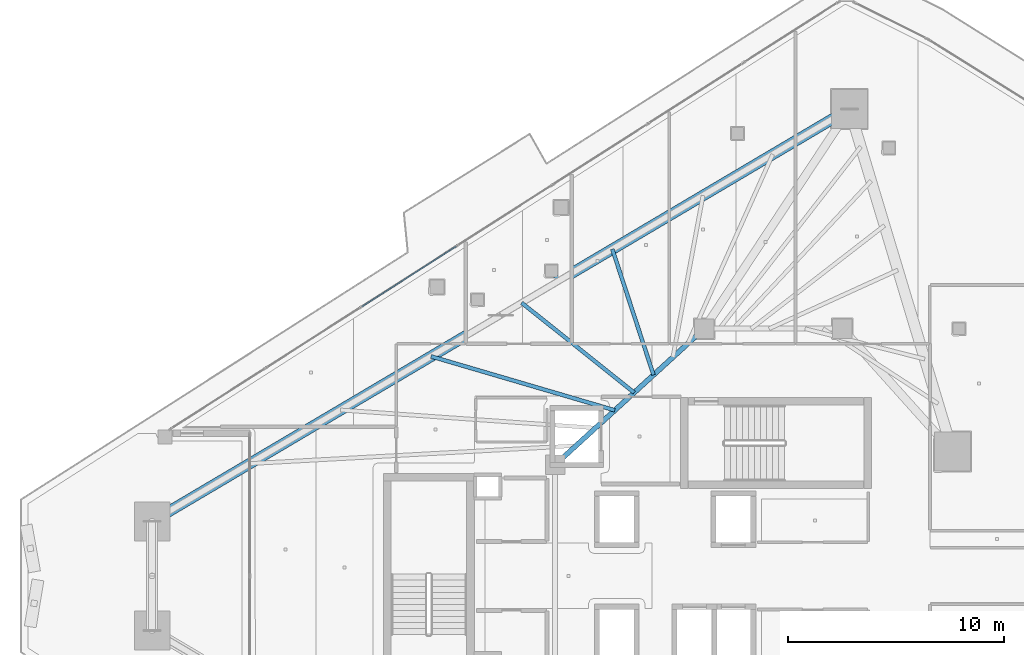
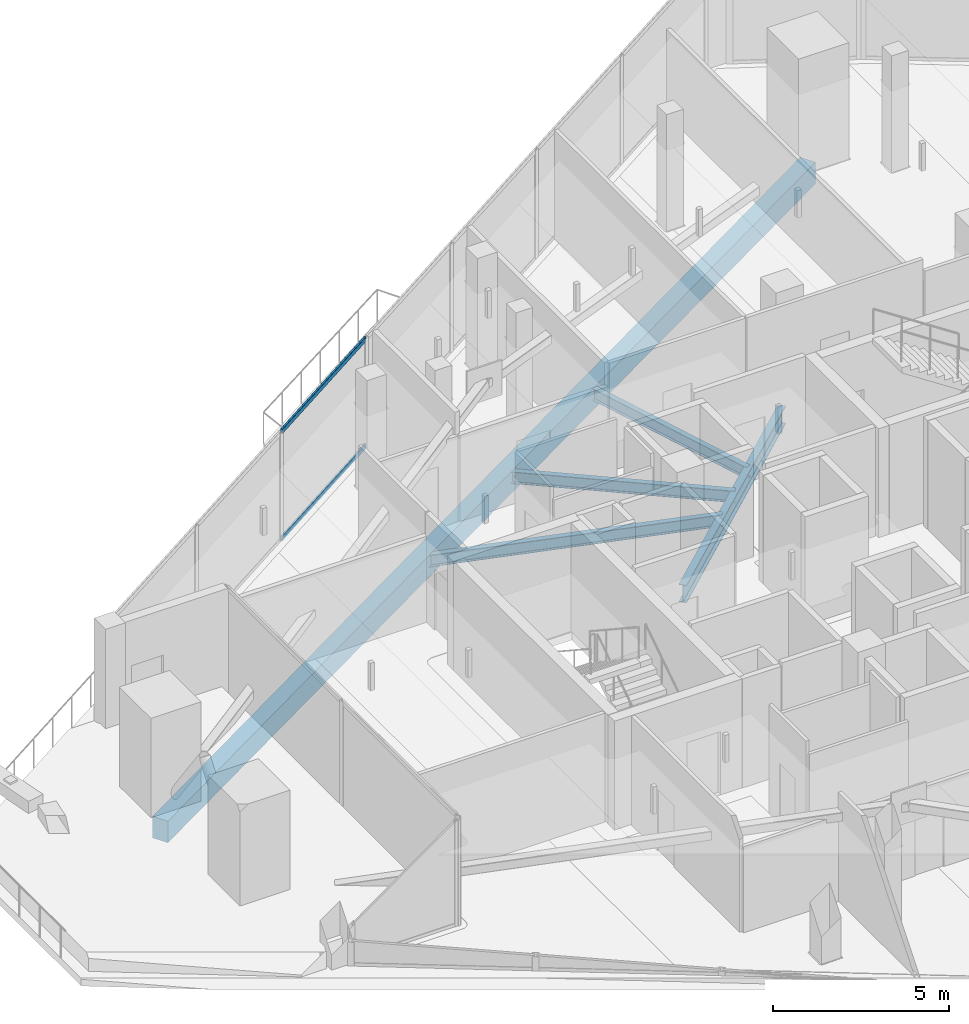
# One storey, part 19 of 40: 5 beams, 2 members, 1 element without a shape of its own.
"""IFC4 building model written with IfcOpenShell, lengths in metres."""

from ifc_helpers import new_model, si_unit, direction, frame, origin, origin_2d, place, context, subcontext, project, spatial, rectangle, hollow_rectangle, i_section, extrude, material, layer, layer_set, material_profile, profile_set, type_object, element, aggregate, save


model = new_model("IFC4")

# Units and contexts
model_context = context("Model", 3, precision=1e-05, world=origin(), true_north=direction((0.0, 1.0)))
body_context = subcontext(model_context, "Body", "Model", "MODEL_VIEW")
ifc_project = project(units=[si_unit("LENGTHUNIT", "METRE"), si_unit("AREAUNIT", "SQUARE_METRE"), si_unit("VOLUMEUNIT", "CUBIC_METRE"), si_unit("PLANEANGLEUNIT", "RADIAN"), si_unit("MASSUNIT", "GRAM", prefix="KILO")], contexts=[model_context])

# Site, building, storey
site_placement = place(None, origin())
site = spatial("IfcSite", under=ifc_project, at=site_placement, CompositionType="ELEMENT")
building_placement = place(site_placement, origin())
building = spatial("IfcBuilding", under=site, at=building_placement, Name="Qorvath Tower", CompositionType="ELEMENT")
storey_placement = place(building_placement, frame((0.0, 0.0, 225.300048828125)))
storey = spatial("IfcBuildingStorey", under=building, at=storey_placement, Name="L52", CompositionType="ELEMENT", Elevation=225.300048828125)

# Beams
ifc_material_1 = material(Name="Steel ASTM A992 Grade 50", Category="steel")
ifc_material_profile_1 = material_profile(ifc_material_1, i_section(OverallWidth=0.22998046875, OverallDepth=0.616943359375, WebThickness=0.01318359375, FlangeThickness=0.022216796875, FilletRadius=0.014892578125, at=origin_2d()), Name="W24x94")
ifc_profile_set_1 = profile_set([ifc_material_profile_1], Name="Steel ASTM A992 Grade 50")
beam_type_1 = type_object("IfcBeamType", Name="BM-FG6", PredefinedType="BEAM", material=ifc_profile_set_1)
beam_1_placement = place(storey_placement, frame((-30.5, 5.14990234375, -0.57861328125), z_axis=(0.73847813985, 0.6742774184, 0.0), x_axis=(-0.6742774184, 0.73847813985, 0.0)))
element("IfcBeam", 1, at=beam_1_placement, inside=storey, type_object=beam_type_1, Name="Core Ring Girder CC5-CC1 L52", PredefinedType="BEAM", context=body_context, shape_type="SweptSolid", body=[
    extrude(i_section(OverallWidth=0.22998046875, OverallDepth=0.616943359375, WebThickness=0.01318359375, FlangeThickness=0.022216796875, FilletRadius=0.014892578125, at=origin_2d()), origin(), (0.0, 0.0, 1.0), 9.343505859375),
])
ifc_material_2 = material(Name="Steel ASTM A992 Grade 50", Category="steel")
ifc_material_profile_2 = material_profile(ifc_material_2, i_section(OverallWidth=0.177978515625, OverallDepth=0.406005859375, WebThickness=0.0078125, FlangeThickness=0.0126953125, FilletRadius=0.010986328125, at=origin_2d()), Name="W16x40")
ifc_profile_set_2 = profile_set([ifc_material_profile_2], Name="Steel ASTM A992 Grade 50")
beam_type_2 = type_object("IfcBeamType", Name="BM-FJ3", PredefinedType="JOIST", material=ifc_profile_set_2)
beam_2_placement = place(storey_placement, frame((-27.739990234375, 7.669921875, -0.47314453125), z_axis=(-0.959544992264, 0.281555337049, 0.0), x_axis=(-0.281555337049, -0.959544992264, 0.0)))
element("IfcBeam", 2, at=beam_2_placement, inside=storey, type_object=beam_type_2, Name="Composite Floor Joist NW3 L52", PredefinedType="JOIST", context=body_context, shape_type="SweptSolid", body=[
    extrude(i_section(OverallWidth=0.177978515625, OverallDepth=0.406005859375, WebThickness=0.0078125, FlangeThickness=0.0126953125, FilletRadius=0.010986328125, at=origin_2d()), origin(), (0.0, 0.0, 1.0), 8.87060546875),
])
beam_3_placement = place(storey_placement, frame((-26.843017578125, 8.489013671875, -0.47314453125), z_axis=(-0.781336553339, 0.624109918537, 0.0), x_axis=(-0.624109918537, -0.781336553339, 0.0)))
element("IfcBeam", 3, at=beam_3_placement, inside=storey, type_object=beam_type_2, Name="Composite Floor Joist NW4 L52", PredefinedType="JOIST", context=body_context, shape_type="SweptSolid", body=[
    extrude(i_section(OverallWidth=0.177978515625, OverallDepth=0.406005859375, WebThickness=0.0078125, FlangeThickness=0.0126953125, FilletRadius=0.010986328125, at=origin_2d()), origin(), (0.0, 0.0, 1.0), 6.667724609375),
])
beam_4_placement = place(storey_placement, frame((-25.946044921875, 9.30810546875, -0.47314453125), z_axis=(-0.311228747452, 0.950335028692, 0.0), x_axis=(-0.950335028692, -0.311228747452, 0.0)))
element("IfcBeam", 4, at=beam_4_placement, inside=storey, type_object=beam_type_2, Name="Composite Floor Joist NW5 L52", PredefinedType="JOIST", context=body_context, shape_type="SweptSolid", body=[
    extrude(i_section(OverallWidth=0.177978515625, OverallDepth=0.406005859375, WebThickness=0.0078125, FlangeThickness=0.0126953125, FilletRadius=0.010986328125, at=origin_2d()), origin(), (0.0, 0.0, 1.0), 6.129638671875),
])
ifc_material_3 = material(Name="Concrete C45/55", Category="concrete")
ifc_material_profile_3 = material_profile(ifc_material_3, rectangle(XDim=0.5, YDim=0.75, at=origin_2d()), Name="RCB 750x500")
ifc_profile_set_3 = profile_set([ifc_material_profile_3], Name="Concrete C45/55")
beam_type_3 = type_object("IfcBeamType", Name="BM-RCB3", PredefinedType="SPANDREL", material=ifc_profile_set_3)
beam_5_placement = place(storey_placement, frame((-16.87158203125, 21.627197265625, -0.64501953125), z_axis=(-0.860776759786, -0.50898268125, 0.0), x_axis=(0.50898268125, -0.860776759786, 0.0)))
element("IfcBeam", 5, at=beam_5_placement, inside=storey, type_object=beam_type_3, Name="Perimeter Loggia Frame Beam MC6-MC1 L52", PredefinedType="SPANDREL", context=body_context, shape_type="SweptSolid", body=[
    extrude(rectangle(XDim=0.5, YDim=0.75, at=origin_2d()), origin(), (0.0, 0.0, 1.0), 37.524658203125),
])

# Curtain wall, members
ifc_material_4 = material(Name="Anodised aluminium and triple low-E glass", Category="aluminium")
ifc_layer = layer(ifc_material_4, 0.179931640625)
ifc_layer_set = layer_set([ifc_layer], Name="CW-SYS-5")
curtain_wall_type = type_object("IfcCurtainWallType", Name="CW-SYS-5", PredefinedType="NOTDEFINED", material=ifc_layer_set)
curtain_wall_placement = place(storey_placement, origin())
curtain_wall = element("IfcCurtainWall", 6, at=curtain_wall_placement, inside=storey, type_object=curtain_wall_type, Name="Curtain Wall CW-5 CW-T-L52-18.1", PredefinedType="NOTDEFINED")
ifc_material_5 = material(Name="Anodised aluminium 6063-T6", Category="aluminium")
ifc_material_profile_4 = material_profile(ifc_material_5, hollow_rectangle(XDim=0.06494140625, YDim=0.159912109375, WallThickness=0.00341796875, InnerFilletRadius=0.00341796875, OuterFilletRadius=0.007080078125, at=origin_2d()), Name="CWT 160x65")
ifc_profile_set_4 = profile_set([ifc_material_profile_4], Name="Anodised aluminium 6063-T6")
member_type = type_object("IfcMemberType", Name="CWT-160", PredefinedType="USERDEFINED", material=ifc_profile_set_4)
member_1_placement = place(storey_placement, frame((-35.0888671875, 15.26171875, 0.032470703125), z_axis=(-0.842629113093, -0.538494361872, 0.0), x_axis=(0.538494361872, -0.842629113093, 0.0)))
member_1 = element("IfcMember", 7, at=member_1_placement, type_object=member_type, Name="CW-5 transom 5.1", ObjectType="TRANSOM", PredefinedType="USERDEFINED", context=body_context, shape_type="SweptSolid", body=[
    extrude(hollow_rectangle(XDim=0.06494140625, YDim=0.159912109375, WallThickness=0.00341796875, InnerFilletRadius=0.00341796875, OuterFilletRadius=0.007080078125, at=origin_2d()), origin(), (0.0, 0.0, 1.0), 5.178466796875),
])
member_2_placement = place(storey_placement, frame((-35.0888671875, 15.26171875, 3.74755859375), z_axis=(-0.842629113093, -0.538494361872, 0.0), x_axis=(0.538494361872, -0.842629113093, 0.0)))
member_2 = element("IfcMember", 8, at=member_2_placement, type_object=member_type, Name="CW-5 transom 5.2", ObjectType="TRANSOM", PredefinedType="USERDEFINED", context=body_context, shape_type="SweptSolid", body=[
    extrude(hollow_rectangle(XDim=0.06494140625, YDim=0.159912109375, WallThickness=0.00341796875, InnerFilletRadius=0.00341796875, OuterFilletRadius=0.007080078125, at=origin_2d()), origin(), (0.0, 0.0, 1.0), 5.178466796875),
])
aggregate(curtain_wall, [member_1, member_2])

save(model, "model.ifc")
